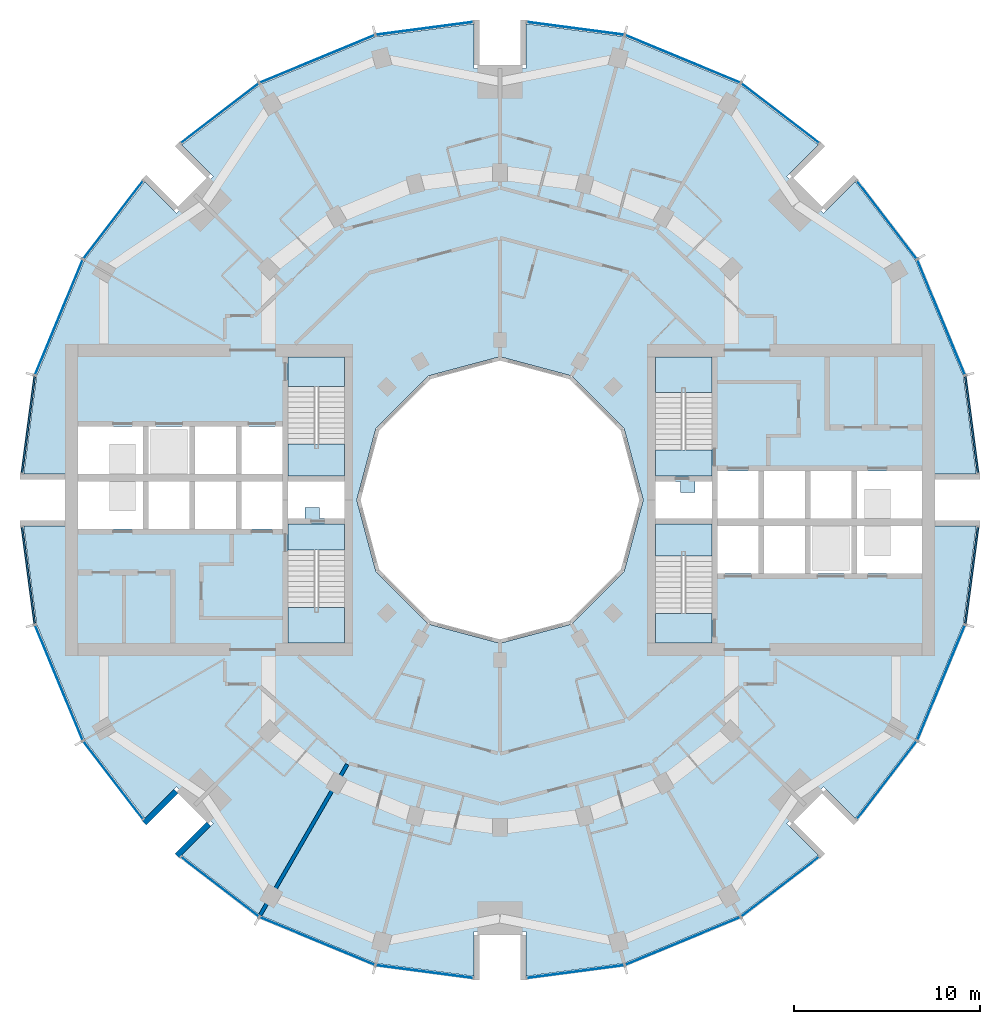
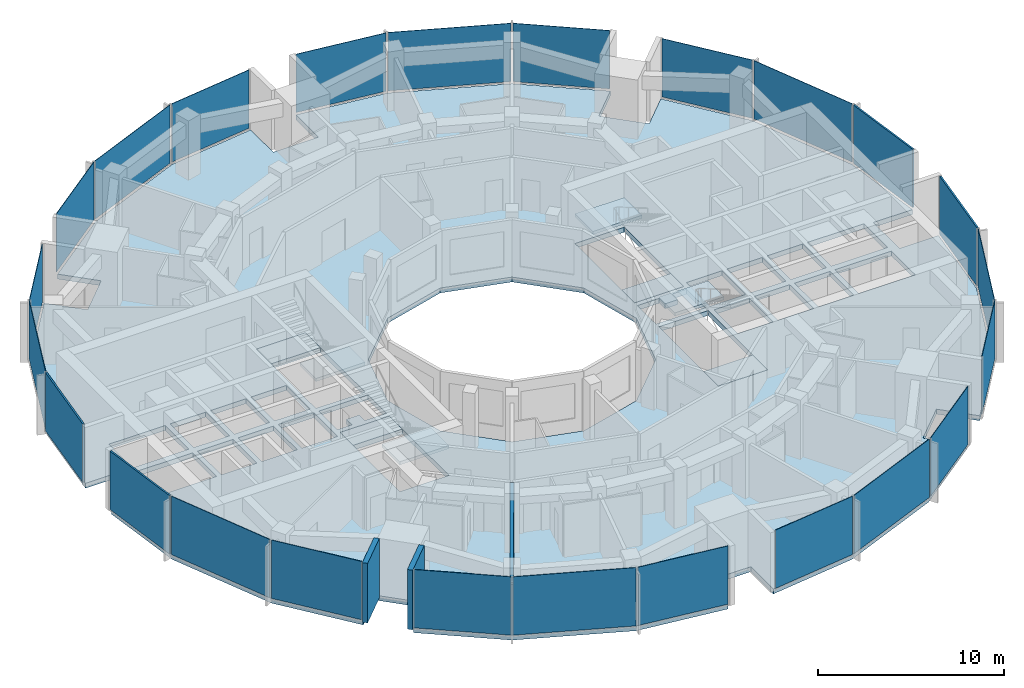
# One storey, part 7 of 15: 24 plates, 9 slabs, 3 walls, 28 elements without a shape of their own.
"""IFC4 building model written with IfcOpenShell, lengths in metres."""

from ifc_helpers import new_model, si_unit, direction, frame, frame_2d, origin, origin_2d, place, context, subcontext, project, spatial, polyline, rectangle, outline, extrude, material, layer, layer_set, type_object, element, aggregate, save


model = new_model("IFC4")

# Units and contexts
model_context = context("Model", 3, precision=1e-05, world=origin(), true_north=direction((0.0, 1.0)))
body_context = subcontext(model_context, "Body", "Model", "MODEL_VIEW")
ifc_project = project(units=[si_unit("LENGTHUNIT", "METRE"), si_unit("AREAUNIT", "SQUARE_METRE"), si_unit("VOLUMEUNIT", "CUBIC_METRE"), si_unit("PLANEANGLEUNIT", "RADIAN"), si_unit("MASSUNIT", "GRAM", prefix="KILO")], contexts=[model_context])

# Site, building, storey
site_placement = place(None, origin())
site = spatial("IfcSite", under=ifc_project, at=site_placement, CompositionType="ELEMENT")
building_placement = place(site_placement, origin())
building = spatial("IfcBuilding", under=site, at=building_placement, Name="Torre Brocal", CompositionType="ELEMENT")
storey_placement = place(building_placement, frame((0.0, 0.0, 122.39990234375)))
storey = spatial("IfcBuildingStorey", under=building, at=storey_placement, Name="L28", CompositionType="ELEMENT", Elevation=122.39990234375)

# Curtain wall, plate
ifc_material_1 = material(Name="Aluminium and glass", Category="aluminium")
ifc_layer_1 = layer(ifc_material_1, 0.199951171875)
ifc_layer_set_1 = layer_set([ifc_layer_1], Name="Aluminium and glass")
curtain_wall_type_1 = type_object("IfcCurtainWallType", Name="CW-1 CURTAIN WALL 3900 HIGH", PredefinedType="NOTDEFINED", material=ifc_layer_set_1)
curtain_wall_1_placement = place(storey_placement, origin())
curtain_wall_1 = element("IfcCurtainWall", 1, at=curtain_wall_1_placement, inside=storey, type_object=curtain_wall_type_1, Name="CW-1 RUN 2", PredefinedType="NOTDEFINED")
ifc_material_2 = material(Name="Glass, dark tinted laminated", Category="glass")
ifc_layer_2 = layer(ifc_material_2, 0.031982421875)
ifc_layer_set_2 = layer_set([ifc_layer_2], Name="Glass, dark tinted laminated")
plate_type_1 = type_object("IfcPlateType", Name="CW-1 GLASS PANEL 32", PredefinedType="CURTAIN_PANEL", material=ifc_layer_set_2)
plate_1_placement = place(storey_placement, frame((103.722900390625, 84.826416015625, 0.080078125), z_axis=(0.0, 0.0, 1.0), x_axis=(-0.382683432333, 0.923879532525, 0.0)))
plate_1 = element("IfcPlate", 2, at=plate_1_placement, type_object=plate_type_1, Name="CW1-3 panel 1.1", PredefinedType="CURTAIN_PANEL", context=body_context, shape_type="SweptSolid", body=[
    extrude(rectangle(XDim=6.64111328125, YDim=0.031982421875, at=origin_2d()), origin(), (0.0, 0.0, 1.0), 3.820068359375),
])
aggregate(curtain_wall_1, [plate_1])

curtain_wall_2_placement = place(storey_placement, origin())
curtain_wall_2 = element("IfcCurtainWall", 3, at=curtain_wall_2_placement, inside=storey, type_object=curtain_wall_type_1, Name="CW-1 RUN 3", PredefinedType="NOTDEFINED")
plate_2_placement = place(storey_placement, frame((100.80126953125, 90.0712890625, 0.080078125), z_axis=(0.0, 0.0, 1.0), x_axis=(-0.60876142905, 0.793353340259, 0.0)))
plate_2 = element("IfcPlate", 4, at=plate_2_placement, type_object=plate_type_1, Name="CW1-3 panel 1.1", PredefinedType="CURTAIN_PANEL", context=body_context, shape_type="SweptSolid", body=[
    extrude(rectangle(XDim=5.22900390625, YDim=0.031982421875, at=origin_2d()), origin(), (0.0, 0.0, 1.0), 3.820068359375),
])
aggregate(curtain_wall_2, [plate_2])

curtain_wall_3_placement = place(storey_placement, origin())
curtain_wall_3 = element("IfcCurtainWall", 5, at=curtain_wall_3_placement, inside=storey, type_object=curtain_wall_type_1, Name="CW-1 RUN 4", PredefinedType="NOTDEFINED")
plate_3_placement = place(storey_placement, frame((95.0712890625, 95.80126953125, 0.080078125), z_axis=(0.0, 0.0, 1.0), x_axis=(-0.793353340259, 0.60876142905, 0.0)))
plate_3 = element("IfcPlate", 6, at=plate_3_placement, type_object=plate_type_1, Name="CW1-3 panel 1.1", PredefinedType="CURTAIN_PANEL", context=body_context, shape_type="SweptSolid", body=[
    extrude(rectangle(XDim=5.22900390625, YDim=0.031982421875, at=origin_2d()), origin(), (0.0, 0.0, 1.0), 3.820068359375),
])
aggregate(curtain_wall_3, [plate_3])

curtain_wall_4_placement = place(storey_placement, origin())
curtain_wall_4 = element("IfcCurtainWall", 7, at=curtain_wall_4_placement, inside=storey, type_object=curtain_wall_type_1, Name="CW-1 RUN 5", PredefinedType="NOTDEFINED")
plate_4_placement = place(storey_placement, frame((89.826416015625, 98.722900390625, 0.080078125), z_axis=(0.0, 0.0, 1.0), x_axis=(-0.923879532525, 0.382683432333, 0.0)))
plate_4 = element("IfcPlate", 8, at=plate_4_placement, type_object=plate_type_1, Name="CW1-3 panel 1.1", PredefinedType="CURTAIN_PANEL", context=body_context, shape_type="SweptSolid", body=[
    extrude(rectangle(XDim=6.64111328125, YDim=0.031982421875, at=origin_2d()), origin(), (0.0, 0.0, 1.0), 3.820068359375),
])
aggregate(curtain_wall_4, [plate_4])

curtain_wall_5_placement = place(storey_placement, origin())
curtain_wall_5 = element("IfcCurtainWall", 9, at=curtain_wall_5_placement, inside=storey, type_object=curtain_wall_type_1, Name="CW-1 RUN 6", PredefinedType="NOTDEFINED")
plate_5_placement = place(storey_placement, frame((84.051513671875, 100.36572265625, 0.080078125), z_axis=(0.0, 0.0, 1.0), x_axis=(-0.991444861374, 0.13052619222, 0.0)))
plate_5 = element("IfcPlate", 10, at=plate_5_placement, type_object=plate_type_1, Name="CW1-3 panel 1.1", PredefinedType="CURTAIN_PANEL", context=body_context, shape_type="SweptSolid", body=[
    extrude(rectangle(XDim=5.22900390625, YDim=0.031982421875, at=origin_2d()), origin(), (0.0, 0.0, 1.0), 3.820068359375),
])
aggregate(curtain_wall_5, [plate_5])

curtain_wall_6_placement = place(storey_placement, origin())
curtain_wall_6 = element("IfcCurtainWall", 11, at=curtain_wall_6_placement, inside=storey, type_object=curtain_wall_type_1, Name="CW-1 RUN 7", PredefinedType="NOTDEFINED")
plate_6_placement = place(storey_placement, frame((75.948486328125, 100.36572265625, 0.080078125), z_axis=(0.0, 0.0, 1.0), x_axis=(-0.991444861374, -0.13052619222, 0.0)))
plate_6 = element("IfcPlate", 12, at=plate_6_placement, type_object=plate_type_1, Name="CW1-3 panel 1.1", PredefinedType="CURTAIN_PANEL", context=body_context, shape_type="SweptSolid", body=[
    extrude(rectangle(XDim=5.22900390625, YDim=0.031982421875, at=origin_2d()), origin(), (0.0, 0.0, 1.0), 3.820068359375),
])
aggregate(curtain_wall_6, [plate_6])

curtain_wall_7_placement = place(storey_placement, origin())
curtain_wall_7 = element("IfcCurtainWall", 13, at=curtain_wall_7_placement, inside=storey, type_object=curtain_wall_type_1, Name="CW-1 RUN 8", PredefinedType="NOTDEFINED")
plate_7_placement = place(storey_placement, frame((70.173583984375, 98.722900390625, 0.080078125), z_axis=(0.0, 0.0, 1.0), x_axis=(-0.923879532525, -0.382683432333, 0.0)))
plate_7 = element("IfcPlate", 14, at=plate_7_placement, type_object=plate_type_1, Name="CW1-3 panel 1.1", PredefinedType="CURTAIN_PANEL", context=body_context, shape_type="SweptSolid", body=[
    extrude(rectangle(XDim=6.64111328125, YDim=0.031982421875, at=origin_2d()), origin(), (0.0, 0.0, 1.0), 3.820068359375),
])
aggregate(curtain_wall_7, [plate_7])

curtain_wall_8_placement = place(storey_placement, origin())
curtain_wall_8 = element("IfcCurtainWall", 15, at=curtain_wall_8_placement, inside=storey, type_object=curtain_wall_type_1, Name="CW-1 RUN 9", PredefinedType="NOTDEFINED")
plate_8_placement = place(storey_placement, frame((64.9287109375, 95.80126953125, 0.080078125), z_axis=(0.0, 0.0, 1.0), x_axis=(-0.793353340259, -0.60876142905, 0.0)))
plate_8 = element("IfcPlate", 16, at=plate_8_placement, type_object=plate_type_1, Name="CW1-3 panel 1.1", PredefinedType="CURTAIN_PANEL", context=body_context, shape_type="SweptSolid", body=[
    extrude(rectangle(XDim=5.22900390625, YDim=0.031982421875, at=origin_2d()), origin(), (0.0, 0.0, 1.0), 3.820068359375),
])
aggregate(curtain_wall_8, [plate_8])

curtain_wall_9_placement = place(storey_placement, origin())
curtain_wall_9 = element("IfcCurtainWall", 17, at=curtain_wall_9_placement, inside=storey, type_object=curtain_wall_type_1, Name="CW-1 RUN 10", PredefinedType="NOTDEFINED")
plate_9_placement = place(storey_placement, frame((59.19873046875, 90.0712890625, 0.080078125), z_axis=(0.0, 0.0, 1.0), x_axis=(-0.60876142905, -0.793353340259, 0.0)))
plate_9 = element("IfcPlate", 18, at=plate_9_placement, type_object=plate_type_1, Name="CW1-3 panel 1.1", PredefinedType="CURTAIN_PANEL", context=body_context, shape_type="SweptSolid", body=[
    extrude(rectangle(XDim=5.22900390625, YDim=0.031982421875, at=origin_2d()), origin(), (0.0, 0.0, 1.0), 3.820068359375),
])
aggregate(curtain_wall_9, [plate_9])

curtain_wall_10_placement = place(storey_placement, origin())
curtain_wall_10 = element("IfcCurtainWall", 19, at=curtain_wall_10_placement, inside=storey, type_object=curtain_wall_type_1, Name="CW-1 RUN 11", PredefinedType="NOTDEFINED")
plate_10_placement = place(storey_placement, frame((56.277099609375, 84.826416015625, 0.080078125), z_axis=(0.0, 0.0, 1.0), x_axis=(-0.382683432333, -0.923879532525, 0.0)))
plate_10 = element("IfcPlate", 20, at=plate_10_placement, type_object=plate_type_1, Name="CW1-3 panel 1.1", PredefinedType="CURTAIN_PANEL", context=body_context, shape_type="SweptSolid", body=[
    extrude(rectangle(XDim=6.64111328125, YDim=0.031982421875, at=origin_2d()), origin(), (0.0, 0.0, 1.0), 3.820068359375),
])
aggregate(curtain_wall_10, [plate_10])

curtain_wall_11_placement = place(storey_placement, origin())
curtain_wall_11 = element("IfcCurtainWall", 21, at=curtain_wall_11_placement, inside=storey, type_object=curtain_wall_type_1, Name="CW-1 RUN 14", PredefinedType="NOTDEFINED")
plate_11_placement = place(storey_placement, frame((56.277099609375, 65.173583984375, 0.080078125), z_axis=(0.0, 0.0, 1.0), x_axis=(0.382683432333, -0.923879532525, 0.0)))
plate_11 = element("IfcPlate", 22, at=plate_11_placement, type_object=plate_type_1, Name="CW1-3 panel 1.1", PredefinedType="CURTAIN_PANEL", context=body_context, shape_type="SweptSolid", body=[
    extrude(rectangle(XDim=6.64111328125, YDim=0.031982421875, at=origin_2d()), origin(), (0.0, 0.0, 1.0), 3.820068359375),
])
aggregate(curtain_wall_11, [plate_11])

curtain_wall_12_placement = place(storey_placement, origin())
curtain_wall_12 = element("IfcCurtainWall", 23, at=curtain_wall_12_placement, inside=storey, type_object=curtain_wall_type_1, Name="CW-1 RUN 15", PredefinedType="NOTDEFINED")
plate_12_placement = place(storey_placement, frame((59.19873046875, 59.9287109375, 0.080078125), z_axis=(0.0, 0.0, 1.0), x_axis=(0.60876142905, -0.793353340259, 0.0)))
plate_12 = element("IfcPlate", 24, at=plate_12_placement, type_object=plate_type_1, Name="CW1-3 panel 1.1", PredefinedType="CURTAIN_PANEL", context=body_context, shape_type="SweptSolid", body=[
    extrude(rectangle(XDim=5.22900390625, YDim=0.031982421875, at=origin_2d()), origin(), (0.0, 0.0, 1.0), 3.820068359375),
])
aggregate(curtain_wall_12, [plate_12])

curtain_wall_13_placement = place(storey_placement, origin())
curtain_wall_13 = element("IfcCurtainWall", 25, at=curtain_wall_13_placement, inside=storey, type_object=curtain_wall_type_1, Name="CW-1 RUN 16", PredefinedType="NOTDEFINED")
plate_13_placement = place(storey_placement, frame((64.9287109375, 54.19873046875, 0.080078125), z_axis=(0.0, 0.0, 1.0), x_axis=(0.793353340259, -0.60876142905, 0.0)))
plate_13 = element("IfcPlate", 26, at=plate_13_placement, type_object=plate_type_1, Name="CW1-3 panel 1.1", PredefinedType="CURTAIN_PANEL", context=body_context, shape_type="SweptSolid", body=[
    extrude(rectangle(XDim=5.22900390625, YDim=0.031982421875, at=origin_2d()), origin(), (0.0, 0.0, 1.0), 3.820068359375),
])
aggregate(curtain_wall_13, [plate_13])

curtain_wall_14_placement = place(storey_placement, origin())
curtain_wall_14 = element("IfcCurtainWall", 27, at=curtain_wall_14_placement, inside=storey, type_object=curtain_wall_type_1, Name="CW-1 RUN 17", PredefinedType="NOTDEFINED")
plate_14_placement = place(storey_placement, frame((70.173583984375, 51.277099609375, 0.080078125), z_axis=(0.0, 0.0, 1.0), x_axis=(0.923879532525, -0.382683432333, 0.0)))
plate_14 = element("IfcPlate", 28, at=plate_14_placement, type_object=plate_type_1, Name="CW1-3 panel 1.1", PredefinedType="CURTAIN_PANEL", context=body_context, shape_type="SweptSolid", body=[
    extrude(rectangle(XDim=6.64111328125, YDim=0.031982421875, at=origin_2d()), origin(), (0.0, 0.0, 1.0), 3.820068359375),
])
aggregate(curtain_wall_14, [plate_14])

curtain_wall_15_placement = place(storey_placement, origin())
curtain_wall_15 = element("IfcCurtainWall", 29, at=curtain_wall_15_placement, inside=storey, type_object=curtain_wall_type_1, Name="CW-1 RUN 18", PredefinedType="NOTDEFINED")
plate_15_placement = place(storey_placement, frame((75.948486328125, 49.63427734375, 0.080078125), z_axis=(0.0, 0.0, 1.0), x_axis=(0.991444861374, -0.13052619222, 0.0)))
plate_15 = element("IfcPlate", 30, at=plate_15_placement, type_object=plate_type_1, Name="CW1-3 panel 1.1", PredefinedType="CURTAIN_PANEL", context=body_context, shape_type="SweptSolid", body=[
    extrude(rectangle(XDim=5.22900390625, YDim=0.031982421875, at=origin_2d()), origin(), (0.0, 0.0, 1.0), 3.820068359375),
])
aggregate(curtain_wall_15, [plate_15])

curtain_wall_16_placement = place(storey_placement, origin())
curtain_wall_16 = element("IfcCurtainWall", 31, at=curtain_wall_16_placement, inside=storey, type_object=curtain_wall_type_1, Name="CW-1 RUN 19", PredefinedType="NOTDEFINED")
plate_16_placement = place(storey_placement, frame((84.051513671875, 49.63427734375, 0.080078125), z_axis=(0.0, 0.0, 1.0), x_axis=(0.991444861374, 0.13052619222, 0.0)))
plate_16 = element("IfcPlate", 32, at=plate_16_placement, type_object=plate_type_1, Name="CW1-3 panel 1.1", PredefinedType="CURTAIN_PANEL", context=body_context, shape_type="SweptSolid", body=[
    extrude(rectangle(XDim=5.22900390625, YDim=0.031982421875, at=origin_2d()), origin(), (0.0, 0.0, 1.0), 3.820068359375),
])
aggregate(curtain_wall_16, [plate_16])

curtain_wall_17_placement = place(storey_placement, origin())
curtain_wall_17 = element("IfcCurtainWall", 33, at=curtain_wall_17_placement, inside=storey, type_object=curtain_wall_type_1, Name="CW-1 RUN 20", PredefinedType="NOTDEFINED")
plate_17_placement = place(storey_placement, frame((89.826416015625, 51.277099609375, 0.080078125), z_axis=(0.0, 0.0, 1.0), x_axis=(0.923879532525, 0.382683432333, 0.0)))
plate_17 = element("IfcPlate", 34, at=plate_17_placement, type_object=plate_type_1, Name="CW1-3 panel 1.1", PredefinedType="CURTAIN_PANEL", context=body_context, shape_type="SweptSolid", body=[
    extrude(rectangle(XDim=6.64111328125, YDim=0.031982421875, at=origin_2d()), origin(), (0.0, 0.0, 1.0), 3.820068359375),
])
aggregate(curtain_wall_17, [plate_17])

curtain_wall_18_placement = place(storey_placement, origin())
curtain_wall_18 = element("IfcCurtainWall", 35, at=curtain_wall_18_placement, inside=storey, type_object=curtain_wall_type_1, Name="CW-1 RUN 21", PredefinedType="NOTDEFINED")
plate_18_placement = place(storey_placement, frame((95.0712890625, 54.19873046875, 0.080078125), z_axis=(0.0, 0.0, 1.0), x_axis=(0.793353340259, 0.60876142905, 0.0)))
plate_18 = element("IfcPlate", 36, at=plate_18_placement, type_object=plate_type_1, Name="CW1-3 panel 1.1", PredefinedType="CURTAIN_PANEL", context=body_context, shape_type="SweptSolid", body=[
    extrude(rectangle(XDim=5.22900390625, YDim=0.031982421875, at=origin_2d()), origin(), (0.0, 0.0, 1.0), 3.820068359375),
])
aggregate(curtain_wall_18, [plate_18])

curtain_wall_19_placement = place(storey_placement, origin())
curtain_wall_19 = element("IfcCurtainWall", 37, at=curtain_wall_19_placement, inside=storey, type_object=curtain_wall_type_1, Name="CW-1 RUN 22", PredefinedType="NOTDEFINED")
plate_19_placement = place(storey_placement, frame((100.80126953125, 59.9287109375, 0.080078125), z_axis=(0.0, 0.0, 1.0), x_axis=(0.60876142905, 0.793353340259, 0.0)))
plate_19 = element("IfcPlate", 38, at=plate_19_placement, type_object=plate_type_1, Name="CW1-3 panel 1.1", PredefinedType="CURTAIN_PANEL", context=body_context, shape_type="SweptSolid", body=[
    extrude(rectangle(XDim=5.22900390625, YDim=0.031982421875, at=origin_2d()), origin(), (0.0, 0.0, 1.0), 3.820068359375),
])
aggregate(curtain_wall_19, [plate_19])

curtain_wall_20_placement = place(storey_placement, origin())
curtain_wall_20 = element("IfcCurtainWall", 39, at=curtain_wall_20_placement, inside=storey, type_object=curtain_wall_type_1, Name="CW-1 RUN 23", PredefinedType="NOTDEFINED")
plate_20_placement = place(storey_placement, frame((103.722900390625, 65.173583984375, 0.080078125), z_axis=(0.0, 0.0, 1.0), x_axis=(0.382683432333, 0.923879532525, 0.0)))
plate_20 = element("IfcPlate", 40, at=plate_20_placement, type_object=plate_type_1, Name="CW1-3 panel 1.1", PredefinedType="CURTAIN_PANEL", context=body_context, shape_type="SweptSolid", body=[
    extrude(rectangle(XDim=6.64111328125, YDim=0.031982421875, at=origin_2d()), origin(), (0.0, 0.0, 1.0), 3.820068359375),
])
aggregate(curtain_wall_20, [plate_20])

ifc_material_3 = material(Name="Aluminium and glass", Category="aluminium")
ifc_layer_3 = layer(ifc_material_3, 0.199951171875)
ifc_layer_set_3 = layer_set([ifc_layer_3], Name="Aluminium and glass")
curtain_wall_type_2 = type_object("IfcCurtainWallType", Name="CW-1B CURTAIN WALL 3900 HIGH", PredefinedType="NOTDEFINED", material=ifc_layer_set_3)
curtain_wall_21_placement = place(storey_placement, origin())
curtain_wall_21 = element("IfcCurtainWall", 41, at=curtain_wall_21_placement, inside=storey, type_object=curtain_wall_type_2, Name="CW-1B RUN 1", PredefinedType="NOTDEFINED")
ifc_material_4 = material(Name="Aluminium composite panel", Category="aluminium")
ifc_layer_4 = layer(ifc_material_4, 0.10009765625)
ifc_layer_set_4 = layer_set([ifc_layer_4], Name="Aluminium composite panel")
plate_type_2 = type_object("IfcPlateType", Name="CW-1B OPAQUE PANEL 100", PredefinedType="CURTAIN_PANEL", material=ifc_layer_set_4)
plate_21_placement = place(storey_placement, frame((105.36572265625, 79.051513671875, 0.080078125), z_axis=(0.0, 0.0, 1.0), x_axis=(-0.13052619222, 0.991444861374, 0.0)))
plate_21 = element("IfcPlate", 42, at=plate_21_placement, type_object=plate_type_2, Name="CW1B-3 panel 1.1", PredefinedType="CURTAIN_PANEL", context=body_context, shape_type="SweptSolid", body=[
    extrude(rectangle(XDim=5.22900390625, YDim=0.10009765625, at=origin_2d()), origin(), (0.0, 0.0, 1.0), 3.820068359375),
])
aggregate(curtain_wall_21, [plate_21])

curtain_wall_22_placement = place(storey_placement, origin())
curtain_wall_22 = element("IfcCurtainWall", 43, at=curtain_wall_22_placement, inside=storey, type_object=curtain_wall_type_2, Name="CW-1B RUN 12", PredefinedType="NOTDEFINED")
plate_22_placement = place(storey_placement, frame((54.63427734375, 79.051513671875, 0.080078125), z_axis=(0.0, 0.0, 1.0), x_axis=(-0.13052619222, -0.991444861374, 0.0)))
plate_22 = element("IfcPlate", 44, at=plate_22_placement, type_object=plate_type_2, Name="CW1B-3 panel 1.1", PredefinedType="CURTAIN_PANEL", context=body_context, shape_type="SweptSolid", body=[
    extrude(rectangle(XDim=5.22900390625, YDim=0.10009765625, at=origin_2d()), origin(), (0.0, 0.0, 1.0), 3.820068359375),
])
aggregate(curtain_wall_22, [plate_22])

curtain_wall_23_placement = place(storey_placement, origin())
curtain_wall_23 = element("IfcCurtainWall", 45, at=curtain_wall_23_placement, inside=storey, type_object=curtain_wall_type_2, Name="CW-1B RUN 13", PredefinedType="NOTDEFINED")
plate_23_placement = place(storey_placement, frame((54.63427734375, 70.948486328125, 0.080078125), z_axis=(0.0, 0.0, 1.0), x_axis=(0.13052619222, -0.991444861374, 0.0)))
plate_23 = element("IfcPlate", 46, at=plate_23_placement, type_object=plate_type_2, Name="CW1B-3 panel 1.1", PredefinedType="CURTAIN_PANEL", context=body_context, shape_type="SweptSolid", body=[
    extrude(rectangle(XDim=5.22900390625, YDim=0.10009765625, at=origin_2d()), origin(), (0.0, 0.0, 1.0), 3.820068359375),
])
aggregate(curtain_wall_23, [plate_23])

curtain_wall_24_placement = place(storey_placement, origin())
curtain_wall_24 = element("IfcCurtainWall", 47, at=curtain_wall_24_placement, inside=storey, type_object=curtain_wall_type_2, Name="CW-1B RUN 24", PredefinedType="NOTDEFINED")
plate_24_placement = place(storey_placement, frame((105.36572265625, 70.948486328125, 0.080078125), z_axis=(0.0, 0.0, 1.0), x_axis=(0.13052619222, 0.991444861374, 0.0)))
plate_24 = element("IfcPlate", 48, at=plate_24_placement, type_object=plate_type_2, Name="CW1B-3 panel 1.1", PredefinedType="CURTAIN_PANEL", context=body_context, shape_type="SweptSolid", body=[
    extrude(rectangle(XDim=5.22900390625, YDim=0.10009765625, at=origin_2d()), origin(), (0.0, 0.0, 1.0), 3.820068359375),
])
aggregate(curtain_wall_24, [plate_24])

# Stair, slab
ifc_material_5 = material(Name="Concrete C50", Category="concrete")
stair_type = type_object("IfcStairType", Name="EXIT STAIR", PredefinedType="HALF_TURN_STAIR", material=ifc_material_5)
stair_1_placement = place(storey_placement, origin())
stair_1 = element("IfcStair", 49, at=stair_1_placement, inside=storey, type_object=stair_type, Name="EXIT STAIR ST1", PredefinedType="HALF_TURN_STAIR")
ifc_material_6 = material(Name="Concrete C50", Category="concrete")
ifc_layer_5 = layer(ifc_material_6, 0.320068359375)
ifc_layer_set_5 = layer_set([ifc_layer_5], Name="Concrete C50")
slab_type_1 = type_object("IfcSlabType", Name="FLOOR LANDING 320", PredefinedType="LANDING", material=ifc_layer_set_5)
slab_1_placement = place(storey_placement, frame((0.0, 0.0, -0.31982421875)))
slab_1 = element("IfcSlab", 50, at=slab_1_placement, type_object=slab_type_1, Name="ST1 landing 1", PredefinedType="LANDING", context=body_context, shape_type="SweptSolid", body=[
    extrude(outline(polyline([(88.35009765625, 76.300048828125), (91.39990234375, 76.300048828125), (91.39990234375, 77.699951171875), (88.35009765625, 77.699951171875), (88.35009765625, 76.300048828125)])), origin(), (0.0, 0.0, 1.0), 0.31982421875),
])

stair_2_placement = place(storey_placement, origin())
stair_2 = element("IfcStair", 51, at=stair_2_placement, inside=storey, type_object=stair_type, Name="EXIT STAIR ST2", PredefinedType="HALF_TURN_STAIR")
slab_2_placement = place(storey_placement, frame((0.0, 0.0, -0.31982421875)))
slab_2 = element("IfcSlab", 52, at=slab_2_placement, type_object=slab_type_1, Name="ST2 landing 1", PredefinedType="LANDING", context=body_context, shape_type="SweptSolid", body=[
    extrude(outline(polyline([(88.35009765625, 67.300048828125), (91.39990234375, 67.300048828125), (91.39990234375, 68.89990234375), (88.35009765625, 68.89990234375), (88.35009765625, 67.300048828125)])), origin(), (0.0, 0.0, 1.0), 0.31982421875),
])

stair_3_placement = place(storey_placement, origin())
stair_3 = element("IfcStair", 53, at=stair_3_placement, inside=storey, type_object=stair_type, Name="EXIT STAIR ST3", PredefinedType="HALF_TURN_STAIR")
slab_3_placement = place(storey_placement, frame((0.0, 0.0, -0.31982421875)))
slab_3 = element("IfcSlab", 54, at=slab_3_placement, type_object=slab_type_1, Name="ST3 landing 1", PredefinedType="LANDING", context=body_context, shape_type="SweptSolid", body=[
    extrude(outline(polyline([(71.64990234375, 73.699951171875), (68.60009765625, 73.699951171875), (68.60009765625, 72.300048828125), (71.64990234375, 72.300048828125), (71.64990234375, 73.699951171875)])), origin(), (0.0, 0.0, 1.0), 0.31982421875),
])

stair_4_placement = place(storey_placement, origin())
stair_4 = element("IfcStair", 55, at=stair_4_placement, inside=storey, type_object=stair_type, Name="EXIT STAIR ST4", PredefinedType="HALF_TURN_STAIR")
slab_4_placement = place(storey_placement, frame((0.0, 0.0, -0.31982421875)))
slab_4 = element("IfcSlab", 56, at=slab_4_placement, type_object=slab_type_1, Name="ST4 landing 1", PredefinedType="LANDING", context=body_context, shape_type="SweptSolid", body=[
    extrude(outline(polyline([(71.64990234375, 82.699951171875), (68.60009765625, 82.699951171875), (68.60009765625, 81.10009765625), (71.64990234375, 81.10009765625), (71.64990234375, 82.699951171875)])), origin(), (0.0, 0.0, 1.0), 0.31982421875),
])

# Slab
ifc_material_7 = material(Name="Concrete C50", Category="concrete")
ifc_layer_6 = layer(ifc_material_7, 0.199951171875)
ifc_layer_set_6 = layer_set([ifc_layer_6], Name="Concrete C50")
slab_type_2 = type_object("IfcSlabType", Name="MID LANDING +1950", PredefinedType="LANDING", material=ifc_layer_set_6)
slab_5_placement = place(storey_placement, frame((0.0, 0.0, 1.75)))
slab_5 = element("IfcSlab", 57, at=slab_5_placement, type_object=slab_type_2, Name="ST1 landing 2", PredefinedType="LANDING", context=body_context, shape_type="SweptSolid", body=[
    extrude(outline(polyline([(88.35009765625, 80.780029296875), (91.39990234375, 80.780029296875), (91.39990234375, 82.699951171875), (88.35009765625, 82.699951171875), (88.35009765625, 80.780029296875)])), origin(), (0.0, 0.0, 1.0), 0.2001953125),
])

aggregate(stair_1, [slab_1, slab_5])

slab_6_placement = place(storey_placement, frame((0.0, 0.0, 1.75)))
slab_6 = element("IfcSlab", 58, at=slab_6_placement, type_object=slab_type_2, Name="ST2 landing 2", PredefinedType="LANDING", context=body_context, shape_type="SweptSolid", body=[
    extrude(outline(polyline([(88.35009765625, 71.97998046875), (91.39990234375, 71.97998046875), (91.39990234375, 73.699951171875), (88.35009765625, 73.699951171875), (88.35009765625, 71.97998046875)])), origin(), (0.0, 0.0, 1.0), 0.2001953125),
])

aggregate(stair_2, [slab_2, slab_6])

slab_7_placement = place(storey_placement, frame((0.0, 0.0, 1.75)))
slab_7 = element("IfcSlab", 59, at=slab_7_placement, type_object=slab_type_2, Name="ST3 landing 2", PredefinedType="LANDING", context=body_context, shape_type="SweptSolid", body=[
    extrude(outline(polyline([(71.64990234375, 69.219970703125), (68.60009765625, 69.219970703125), (68.60009765625, 67.300048828125), (71.64990234375, 67.300048828125), (71.64990234375, 69.219970703125)])), origin(), (0.0, 0.0, 1.0), 0.2001953125),
])

aggregate(stair_3, [slab_3, slab_7])

slab_8_placement = place(storey_placement, frame((0.0, 0.0, 1.75)))
slab_8 = element("IfcSlab", 60, at=slab_8_placement, type_object=slab_type_2, Name="ST4 landing 2", PredefinedType="LANDING", context=body_context, shape_type="SweptSolid", body=[
    extrude(outline(polyline([(71.64990234375, 78.02001953125), (68.60009765625, 78.02001953125), (68.60009765625, 76.300048828125), (71.64990234375, 76.300048828125), (71.64990234375, 78.02001953125)])), origin(), (0.0, 0.0, 1.0), 0.2001953125),
])

aggregate(stair_4, [slab_4, slab_8])

ifc_material_8 = material(Name="Concrete C45", Category="concrete")
ifc_layer_7 = layer(ifc_material_8, 0.320068359375)
ifc_layer_set_7 = layer_set([ifc_layer_7], Name="Concrete C45")
slab_type_3 = type_object("IfcSlabType", Name="PT FLOOR SLAB 320 C45", PredefinedType="FLOOR", material=ifc_layer_set_7)
slab_9_placement = place(storey_placement, frame((0.0, 0.0, -0.31982421875)))
element("IfcSlab", 61, at=slab_9_placement, inside=storey, type_object=slab_type_3, Name="Slab ST-05", PredefinedType="FLOOR", context=body_context, shape_type="SweptSolid", body=[
    extrude(outline(polyline([(103.199951171875, 76.39990234375), (103.199951171875, 73.60009765625), (105.614013671875, 73.60009765625), (104.919189453125, 68.322998046875), (102.342041015625, 62.100830078125), (99.101806640625, 57.878173828125), (97.394775390625, 59.5849609375), (95.4150390625, 57.605224609375), (97.121826171875, 55.898193359375), (92.899169921875, 52.657958984375), (86.677001953125, 50.080810546875), (81.39990234375, 49.385986328125), (81.39990234375, 51.800048828125), (78.60009765625, 51.800048828125), (78.60009765625, 49.385986328125), (73.322998046875, 50.080810546875), (67.100830078125, 52.657958984375), (62.878173828125, 55.898193359375), (64.5849609375, 57.605224609375), (62.605224609375, 59.5849609375), (60.898193359375, 57.878173828125), (57.657958984375, 62.100830078125), (55.080810546875, 68.322998046875), (54.385986328125, 73.60009765625), (56.800048828125, 73.60009765625), (56.800048828125, 76.39990234375), (54.385986328125, 76.39990234375), (55.080810546875, 81.677001953125), (57.657958984375, 87.899169921875), (60.898193359375, 92.121826171875), (62.605224609375, 90.4150390625), (64.5849609375, 92.394775390625), (62.878173828125, 94.101806640625), (67.100830078125, 97.342041015625), (73.322998046875, 99.919189453125), (78.60009765625, 100.614013671875), (78.60009765625, 98.199951171875), (81.39990234375, 98.199951171875), (81.39990234375, 100.614013671875), (86.677001953125, 99.919189453125), (92.899169921875, 97.342041015625), (97.121826171875, 94.101806640625), (95.4150390625, 92.394775390625), (97.394775390625, 90.4150390625), (99.101806640625, 92.121826171875), (102.342041015625, 87.899169921875), (104.919189453125, 81.677001953125), (105.614013671875, 76.39990234375), (103.199951171875, 76.39990234375)]), holes=[polyline([(102.699951171875, 74.0), (102.699951171875, 76.550048828125), (99.199951171875, 76.550048828125), (99.199951171875, 74.0), (102.699951171875, 74.0)]), polyline([(102.699951171875, 71.050048828125), (102.699951171875, 73.60009765625), (99.199951171875, 73.60009765625), (99.199951171875, 71.050048828125), (102.699951171875, 71.050048828125)]), polyline([(98.89990234375, 76.550048828125), (96.699951171875, 76.550048828125), (96.699951171875, 74.0), (98.89990234375, 74.0), (98.89990234375, 76.550048828125)]), polyline([(98.89990234375, 71.050048828125), (98.89990234375, 73.60009765625), (96.699951171875, 73.60009765625), (96.699951171875, 71.050048828125), (98.89990234375, 71.050048828125)]), polyline([(96.39990234375, 73.60009765625), (94.199951171875, 73.60009765625), (94.199951171875, 71.050048828125), (96.39990234375, 71.050048828125), (96.39990234375, 73.60009765625)]), polyline([(96.39990234375, 74.0), (96.39990234375, 76.550048828125), (94.199951171875, 76.550048828125), (94.199951171875, 74.0), (96.39990234375, 74.0)]), polyline([(93.89990234375, 73.60009765625), (91.699951171875, 73.60009765625), (91.699951171875, 71.050048828125), (93.89990234375, 71.050048828125), (93.89990234375, 73.60009765625)]), polyline([(93.89990234375, 74.0), (93.89990234375, 76.550048828125), (91.699951171875, 76.550048828125), (91.699951171875, 74.0), (93.89990234375, 74.0)]), polyline([(91.39990234375, 76.300048828125), (91.39990234375, 82.699951171875), (88.35009765625, 82.699951171875), (88.35009765625, 76.300048828125), (91.39990234375, 76.300048828125)]), polyline([(91.39990234375, 73.699951171875), (88.35009765625, 73.699951171875), (88.35009765625, 67.300048828125), (91.39990234375, 67.300048828125), (91.39990234375, 73.699951171875)]), polyline([(89.699951171875, 76.0), (88.35009765625, 76.0), (88.35009765625, 74.0), (91.39990234375, 74.0), (91.39990234375, 76.0), (90.5, 76.0), (90.5, 75.39990234375), (89.699951171875, 75.39990234375), (89.699951171875, 76.0)]), polyline([(80.0, 82.70703125), (76.146484375, 81.674560546875), (73.325439453125, 78.853515625), (72.29296875, 75.0), (73.325439453125, 71.146484375), (76.146484375, 68.325439453125), (80.0, 67.29296875), (83.853515625, 68.325439453125), (86.674560546875, 71.146484375), (87.70703125, 75.0), (86.674560546875, 78.853515625), (83.853515625, 81.674560546875), (80.0, 82.70703125)]), polyline([(68.60009765625, 82.699951171875), (68.60009765625, 76.300048828125), (71.64990234375, 76.300048828125), (71.64990234375, 82.699951171875), (68.60009765625, 82.699951171875)]), polyline([(70.300048828125, 74.0), (71.64990234375, 74.0), (71.64990234375, 76.0), (68.60009765625, 76.0), (68.60009765625, 74.0), (69.5, 74.0), (69.5, 74.60009765625), (70.300048828125, 74.60009765625), (70.300048828125, 74.0)]), polyline([(68.60009765625, 67.300048828125), (71.64990234375, 67.300048828125), (71.64990234375, 73.699951171875), (68.60009765625, 73.699951171875), (68.60009765625, 67.300048828125)]), polyline([(66.10009765625, 78.949951171875), (66.10009765625, 76.39990234375), (68.300048828125, 76.39990234375), (68.300048828125, 78.949951171875), (66.10009765625, 78.949951171875)]), polyline([(66.10009765625, 76.0), (66.10009765625, 73.449951171875), (68.300048828125, 73.449951171875), (68.300048828125, 76.0), (66.10009765625, 76.0)]), polyline([(63.60009765625, 76.0), (63.60009765625, 73.449951171875), (65.800048828125, 73.449951171875), (65.800048828125, 76.0), (63.60009765625, 76.0)]), polyline([(63.60009765625, 76.39990234375), (65.800048828125, 76.39990234375), (65.800048828125, 78.949951171875), (63.60009765625, 78.949951171875), (63.60009765625, 76.39990234375)]), polyline([(61.10009765625, 78.949951171875), (61.10009765625, 76.39990234375), (63.300048828125, 76.39990234375), (63.300048828125, 78.949951171875), (61.10009765625, 78.949951171875)]), polyline([(61.10009765625, 73.449951171875), (63.300048828125, 73.449951171875), (63.300048828125, 76.0), (61.10009765625, 76.0), (61.10009765625, 73.449951171875)]), polyline([(57.300048828125, 73.449951171875), (60.800048828125, 73.449951171875), (60.800048828125, 76.0), (57.300048828125, 76.0), (57.300048828125, 73.449951171875)]), polyline([(57.300048828125, 78.949951171875), (57.300048828125, 76.39990234375), (60.800048828125, 76.39990234375), (60.800048828125, 78.949951171875), (57.300048828125, 78.949951171875)])]), origin(), (0.0, 0.0, 1.0), 0.31982421875),
])

# Walls
ifc_material_9 = material(Name="Concrete C70", Category="concrete")
ifc_layer_8 = layer(ifc_material_9, 0.300048828125)
ifc_layer_set_8 = layer_set([ifc_layer_8], Name="Concrete C70")
wall_type_1 = type_object("IfcWallType", Name="NOTCH RETURN WALL 300 C70", PredefinedType="NOTDEFINED", material=ifc_layer_set_8)
for number, where, z_axis, x_axis, name in (
    (62, (62.56982421875, 59.337646484375, 0.0), (0.0, 0.0, 1.0), (-0.707106781187, -0.707106781187, 0.0), "NOTCH RETURN WALL"),
    (63, (64.337646484375, 57.56982421875, 0.0), (0.0, 0.0, 1.0), (-0.707106781187, -0.707106781187, 0.0), "NOTCH RETURN WALL"),
):
    element("IfcWall", number, at=place(storey_placement, frame(where, z_axis=z_axis, x_axis=x_axis)), inside=storey, type_object=wall_type_1, Name=name, PredefinedType="NOTDEFINED", context=body_context, shape_type="SweptSolid", body=[
        extrude(rectangle(XDim=2.415771484375, YDim=0.300048828125, at=frame_2d((1.2080078125, 0.0))), origin(), (0.0, 0.0, 1.0), 3.900146484375),
    ])
ifc_material_10 = material(Name="Gypsum board", Category="Gypsum")
ifc_layer_9 = layer(ifc_material_10, 0.199951171875)
ifc_layer_set_9 = layer_set([ifc_layer_9], Name="Gypsum board")
wall_type_2 = type_object("IfcWallType", Name="PARTITION 200 EI60", PredefinedType="PARTITIONING", material=ifc_layer_set_9)
wall_placement = place(storey_placement, frame((67.094482421875, 52.66259765625, 0.0), z_axis=(0.0, 0.0, 1.0), x_axis=(0.500228134253, 0.865893650342, 0.0)))
element("IfcWall", 64, at=wall_placement, inside=storey, type_object=wall_type_2, Name="PARTY PARTITION", PredefinedType="PARTITIONING", context=body_context, shape_type="SweptSolid", body=[
    extrude(rectangle(XDim=9.37451171875, YDim=0.199951171875, at=frame_2d((4.687255859375, 0.0))), origin(), (0.0, 0.0, 1.0), 3.4501953125),
])

save(model, "model.ifc")
